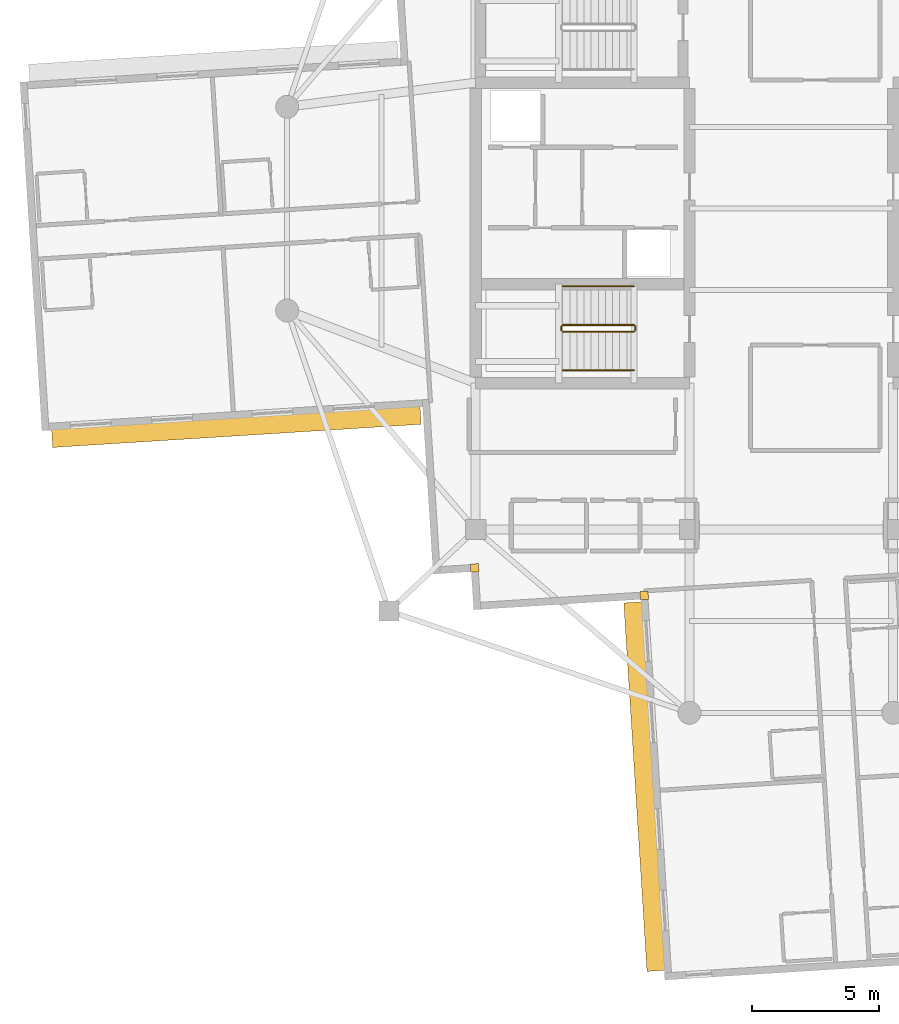
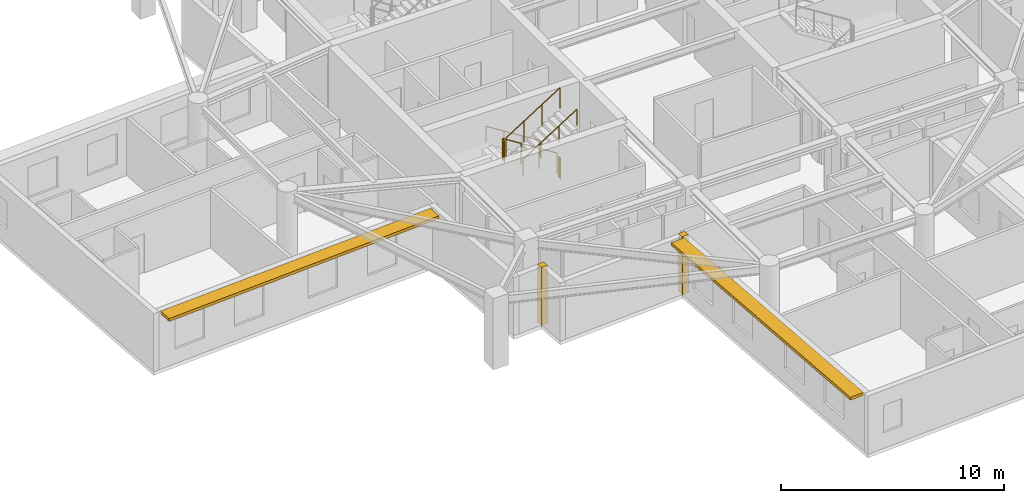
# One storey, part 10 of 13: 6 railings, 2 coverings, 2 shading devices.
"""IFC4 building model written with IfcOpenShell, lengths in metres."""

from ifc_helpers import new_model, si_unit, direction, frame, origin, origin_2d, place, context, subcontext, project, spatial, rectangle, circle, extrude, material, layer, layer_set, type_object, element, save


model = new_model("IFC4")

# Units and contexts
model_context = context("Model", 3, precision=1e-05, world=origin(), true_north=direction((0.0, 1.0)))
body_context = subcontext(model_context, "Body", "Model", "MODEL_VIEW")
ifc_project = project(units=[si_unit("LENGTHUNIT", "METRE"), si_unit("AREAUNIT", "SQUARE_METRE"), si_unit("VOLUMEUNIT", "CUBIC_METRE"), si_unit("PLANEANGLEUNIT", "RADIAN"), si_unit("MASSUNIT", "GRAM", prefix="KILO")], contexts=[model_context])

# Site, building, storey
site_placement = place(None, origin())
site = spatial("IfcSite", under=ifc_project, at=site_placement, CompositionType="ELEMENT")
building_placement = place(site_placement, origin())
building = spatial("IfcBuilding", under=site, at=building_placement, Name="Qingluan Cross Belvedere", CompositionType="ELEMENT")
storey_placement = place(building_placement, frame((0.0, 0.0, 281.10009765625)))
storey = spatial("IfcBuildingStorey", under=building, at=storey_placement, Name="L70", CompositionType="ELEMENT", Elevation=281.10009765625)

# Coverings
ifc_material_1 = material(Name="Precast concrete C45", Category="concrete")
ifc_layer_1 = layer(ifc_material_1, 0.1201171875, Name="ConcreteSpandrelCladding_120")
ifc_layer_set_1 = layer_set([ifc_layer_1], Name="Precast concrete C45")
covering_type = type_object("IfcCoveringType", Name="ConcreteSpandrelCladding_120", PredefinedType="CLADDING", material=ifc_layer_set_1)
for number, where, z_axis, x_axis, name in (
    (1, (-12.438720703125, -14.10888671875, 0.0), (0.0, 0.0, 1.0), (0.998026728428, 0.062790519529, 0.0), "Corner closure L70-SW1"),
    (2, (-5.77734375, -15.192626953125, 0.0), (0.0, 0.0, 1.0), (0.998026728428, 0.062790519529, 0.0), "Corner closure L70-SW2"),
):
    element("IfcCovering", number, at=place(storey_placement, frame(where, z_axis=z_axis, x_axis=x_axis)), inside=storey, type_object=covering_type, Name=name, PredefinedType="CLADDING", context=body_context, shape_type="SweptSolid", body=[
        extrude(rectangle(XDim=0.320068359375, YDim=0.320068359375, at=origin_2d()), origin(), (0.0, 0.0, 1.0), 3.179931640625),
    ])

# Shading devices
ifc_material_2 = material(Name="Precast concrete C45", Category="concrete")
ifc_layer_2 = layer(ifc_material_2, 0.139892578125, Name="ConcreteSunshadeBand_700")
ifc_layer_set_2 = layer_set([ifc_layer_2], Name="Precast concrete C45")
shading_device_type = type_object("IfcShadingDeviceType", Name="ConcreteSunshadeBand_700", PredefinedType="USERDEFINED", material=ifc_layer_set_2)
for number, where, z_axis, x_axis, name in (
    (3, (-21.794677734375, -8.575439453125, 3.0), (0.0, 0.0, 1.0), (0.99802639199, 0.062795866837, 0.0), "Concrete SUNSHADE L70-WB"),
    (4, (-5.776123046875, -22.697509765625, 3.0), (0.0, 0.0, 1.0), (0.062789090939, -0.998026818306, 0.0), "Concrete SUNSHADE L70-SA"),
):
    element("IfcShadingDevice", number, at=place(storey_placement, frame(where, z_axis=z_axis, x_axis=x_axis)), inside=storey, type_object=shading_device_type, Name=name, ObjectType="SUNSHADE", PredefinedType="USERDEFINED", context=body_context, shape_type="SweptSolid", body=[
        extrude(rectangle(XDim=14.5, YDim=0.699951171875, at=origin_2d()), origin(), (0.0, 0.0, 1.0), 0.159912109375),
    ])

# Railings
ifc_material_3 = material(Name="Brushed stainless steel tubular handrail", Category="steel")
railing_type_1 = type_object("IfcRailingType", Name="StairPitchHandrail_900", PredefinedType="HANDRAIL", material=ifc_material_3)
railing_1_placement = place(storey_placement, frame((-6.179931640625, -3.050048828125, 0.17724609375)))
element("IfcRailing", 5, at=railing_1_placement, inside=storey, type_object=railing_type_1, Name="L70 ST1 stair handrail 1", PredefinedType="HANDRAIL", context=body_context, shape_type="SweptSolid", body=[
    extrude(circle(Radius=0.02392578125, at=origin_2d()), frame((0.0, 0.0, 0.8759765625), z_axis=(-0.844908973607, 0.0, 0.534910110503), x_axis=(0.0, -1.0, 0.0)), (0.0, 0.0, 1.0), 3.31396484375),
    extrude(circle(Radius=0.02099609375, at=origin_2d()), origin(), (0.0, 0.0, 1.0), 0.851806640625),
    extrude(circle(Radius=0.02099609375, at=origin_2d()), frame((-0.933349609375, 0.0, 0.5908203125)), (0.0, 0.0, 1.0), 0.851806640625),
    extrude(circle(Radius=0.02099609375, at=origin_2d()), frame((-1.86669921875, 0.0, 1.181884765625)), (0.0, 0.0, 1.0), 0.851806640625),
    extrude(circle(Radius=0.02099609375, at=origin_2d()), frame((-2.800048828125, 0.0, 1.772705078125)), (0.0, 0.0, 1.0), 0.851806640625),
])
railing_2_placement = place(storey_placement, frame((-8.97998046875, -6.35009765625, 2.127197265625)))
element("IfcRailing", 6, at=railing_2_placement, inside=storey, type_object=railing_type_1, Name="L70 ST1 stair handrail 2", PredefinedType="HANDRAIL", context=body_context, shape_type="SweptSolid", body=[
    extrude(circle(Radius=0.02392578125, at=origin_2d()), frame((0.0, 0.0, 0.8759765625), z_axis=(0.844908973607, 0.0, 0.534910110503), x_axis=(0.0, 1.0, 0.0)), (0.0, 0.0, 1.0), 3.31396484375),
    extrude(circle(Radius=0.02099609375, at=origin_2d()), origin(), (0.0, 0.0, 1.0), 0.851806640625),
    extrude(circle(Radius=0.02099609375, at=origin_2d()), frame((0.933349609375, 0.0, 0.5908203125)), (0.0, 0.0, 1.0), 0.851806640625),
    extrude(circle(Radius=0.02099609375, at=origin_2d()), frame((1.86669921875, 0.0, 1.181884765625)), (0.0, 0.0, 1.0), 0.851806640625),
    extrude(circle(Radius=0.02099609375, at=origin_2d()), frame((2.800048828125, 0.0, 1.772705078125)), (0.0, 0.0, 1.0), 0.851806640625),
])
ifc_material_4 = material(Name="Painted steel stair well guard", Category="steel")
railing_type_2 = type_object("IfcRailingType", Name="StairWellGuard_1150", PredefinedType="BALUSTRADE", material=ifc_material_4)
railing_3_placement = place(storey_placement, frame((-6.179931640625, -4.570068359375, 0.17724609375)))
element("IfcRailing", 7, at=railing_3_placement, inside=storey, type_object=railing_type_2, Name="L70 ST1 stair guard 1", PredefinedType="BALUSTRADE", context=body_context, shape_type="SweptSolid", body=[
    extrude(circle(Radius=0.02392578125, at=origin_2d()), frame((0.0, 0.0, 1.1259765625), z_axis=(-0.844908973607, 0.0, 0.534910110503), x_axis=(0.0, -1.0, 0.0)), (0.0, 0.0, 1.0), 3.31396484375),
    extrude(circle(Radius=0.02099609375, at=origin_2d()), origin(), (0.0, 0.0, 1.0), 1.101806640625),
    extrude(circle(Radius=0.02099609375, at=origin_2d()), frame((-0.933349609375, 0.0, 0.5908203125)), (0.0, 0.0, 1.0), 1.101806640625),
    extrude(circle(Radius=0.02099609375, at=origin_2d()), frame((-1.86669921875, 0.0, 1.181884765625)), (0.0, 0.0, 1.0), 1.101806640625),
    extrude(circle(Radius=0.02099609375, at=origin_2d()), frame((-2.800048828125, 0.0, 1.772705078125)), (0.0, 0.0, 1.0), 1.101806640625),
])
railing_4_placement = place(storey_placement, frame((-9.030029296875, -4.6201171875, 1.949951171875)))
element("IfcRailing", 8, at=railing_4_placement, inside=storey, type_object=railing_type_2, Name="L70 ST1 stair guard 2", PredefinedType="BALUSTRADE", context=body_context, shape_type="SweptSolid", body=[
    extrude(circle(Radius=0.02392578125, at=origin_2d()), frame((0.0, 0.0, 1.1259765625), z_axis=(0.0, -1.0, 0.0), x_axis=(1.0, 0.0, 0.0)), (0.0, 0.0, 1.0), 0.159912109375),
    extrude(circle(Radius=0.02099609375, at=origin_2d()), origin(), (0.0, 0.0, 1.0), 1.101806640625),
    extrude(circle(Radius=0.02099609375, at=origin_2d()), frame((0.0, -0.159912109375, 0.0)), (0.0, 0.0, 1.0), 1.101806640625),
])
railing_5_placement = place(storey_placement, frame((-8.97998046875, -4.830078125, 2.127197265625)))
element("IfcRailing", 9, at=railing_5_placement, inside=storey, type_object=railing_type_2, Name="L70 ST1 stair guard 3", PredefinedType="BALUSTRADE", context=body_context, shape_type="SweptSolid", body=[
    extrude(circle(Radius=0.02392578125, at=origin_2d()), frame((0.0, 0.0, 1.1259765625), z_axis=(0.844908973607, 0.0, 0.534910110503), x_axis=(0.0, 1.0, 0.0)), (0.0, 0.0, 1.0), 3.31396484375),
    extrude(circle(Radius=0.02099609375, at=origin_2d()), origin(), (0.0, 0.0, 1.0), 1.101806640625),
    extrude(circle(Radius=0.02099609375, at=origin_2d()), frame((0.933349609375, 0.0, 0.5908203125)), (0.0, 0.0, 1.0), 1.101806640625),
    extrude(circle(Radius=0.02099609375, at=origin_2d()), frame((1.86669921875, 0.0, 1.181884765625)), (0.0, 0.0, 1.0), 1.101806640625),
    extrude(circle(Radius=0.02099609375, at=origin_2d()), frame((2.800048828125, 0.0, 1.772705078125)), (0.0, 0.0, 1.0), 1.101806640625),
])
railing_6_placement = place(storey_placement, frame((-6.1298828125, -4.6201171875, 0.0)))
element("IfcRailing", 10, at=railing_6_placement, inside=storey, type_object=railing_type_2, Name="L70 ST1 stair guard 4", PredefinedType="BALUSTRADE", context=body_context, shape_type="SweptSolid", body=[
    extrude(circle(Radius=0.02392578125, at=origin_2d()), frame((0.0, 0.0, 1.1259765625), z_axis=(0.0, -1.0, 0.0), x_axis=(1.0, 0.0, 0.0)), (0.0, 0.0, 1.0), 0.159912109375),
    extrude(circle(Radius=0.02099609375, at=origin_2d()), origin(), (0.0, 0.0, 1.0), 1.101806640625),
    extrude(circle(Radius=0.02099609375, at=origin_2d()), frame((0.0, -0.159912109375, 0.0)), (0.0, 0.0, 1.0), 1.101806640625),
])

save(model, "model.ifc")
